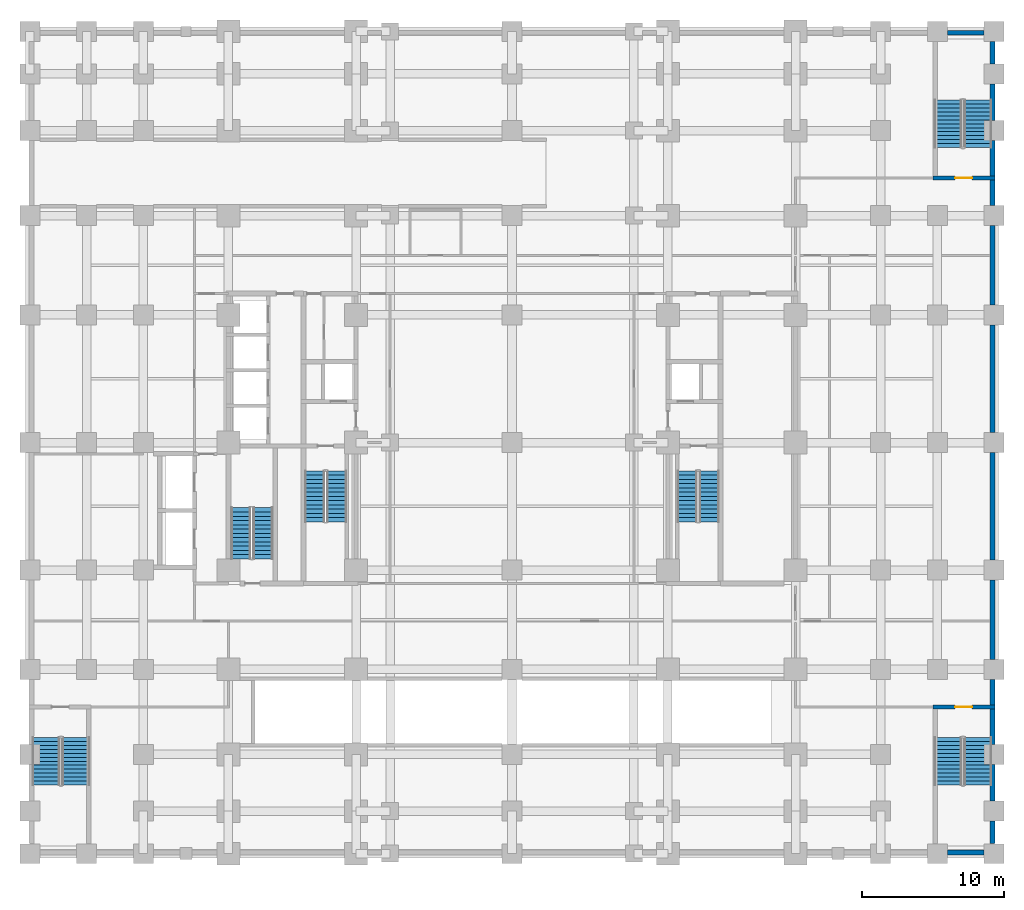
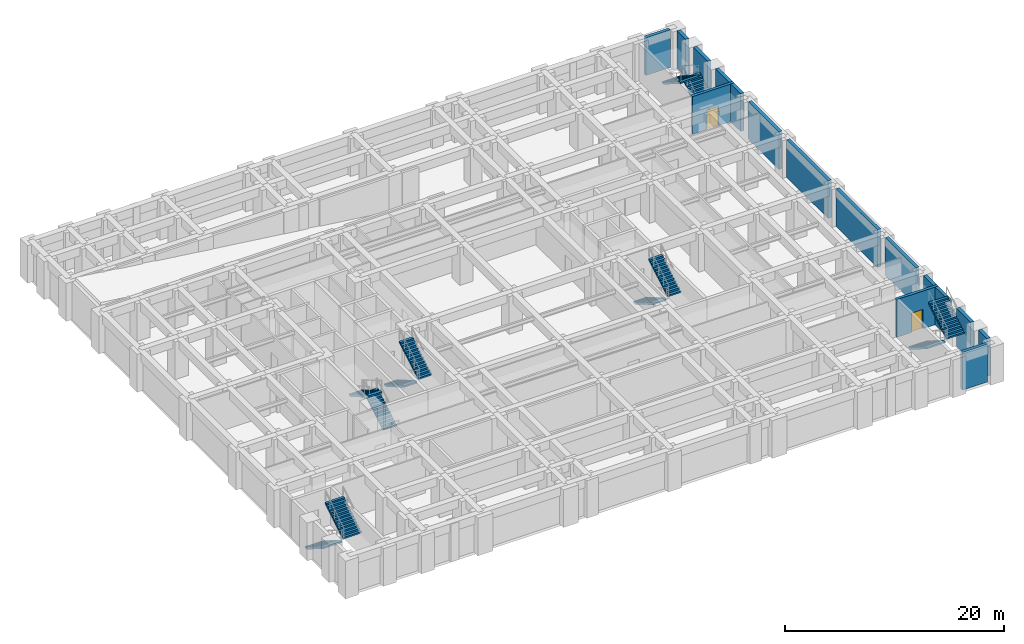
# One storey, part 8 of 14: 16 walls, 12 stair flights, 2 doors, 2 openings, 6 elements without a shape of their own.
"""IFC4 building model written with IfcOpenShell, lengths in metres."""

from ifc_helpers import new_model, si_unit, direction, frame, frame_2d, origin, place, context, subcontext, project, spatial, polyline, rectangle, outline, extrude, material, layer, layer_set, type_object, element, fill, aggregate, save


model = new_model("IFC4")

# Units and contexts
model_context = context("Model", 3, precision=1e-05, world=origin(), true_north=direction((0.0, 1.0)))
body_context = subcontext(model_context, "Body", "Model", "MODEL_VIEW")
ifc_project = project(units=[si_unit("LENGTHUNIT", "METRE"), si_unit("AREAUNIT", "SQUARE_METRE"), si_unit("VOLUMEUNIT", "CUBIC_METRE"), si_unit("PLANEANGLEUNIT", "RADIAN"), si_unit("MASSUNIT", "GRAM", prefix="KILO")], contexts=[model_context])

# Site, building, storey
site_placement = place(None, origin())
site = spatial("IfcSite", under=ifc_project, at=site_placement, CompositionType="ELEMENT")
building_placement = place(site_placement, origin())
building = spatial("IfcBuilding", under=site, at=building_placement, Name="Zulmaris Gate Convention Tower", CompositionType="ELEMENT")
storey_placement = place(building_placement, frame((0.0, 0.0, -4.550048828125)))
storey = spatial("IfcBuildingStorey", under=building, at=storey_placement, Name="B1", CompositionType="ELEMENT", Elevation=-4.550048828125)

# Wall, opening, door
ifc_material_1 = material(Name="Concrete C50/60", Category="concrete")
ifc_layer_1 = layer(ifc_material_1, 0.300048828125, Name="Concrete C50/60")
ifc_layer_set_1 = layer_set([ifc_layer_1], Name="Concrete C50/60")
wall_type_1 = type_object("IfcWallType", Name="CORE-300", PredefinedType="SHEAR", material=ifc_layer_set_1)
wall_1_placement = place(storey_placement, frame((29.699951171875, -18.64990234375, 0.0), z_axis=(0.0, 0.0, 1.0), x_axis=(1.0, 0.0, 0.0)))
wall_1 = element("IfcWall", 1, at=wall_1_placement, inside=storey, type_object=wall_type_1, Name="WL-B1-004", PredefinedType="SHEAR", context=body_context, shape_type="SweptSolid", body=[
    extrude(rectangle(XDim=4.375, YDim=0.300048828125, at=frame_2d((2.1875, 0.0))), origin(), (0.0, 0.0, 1.0), 4.199951171875),
])
opening_1_placement = place(wall_1_placement, frame((1.550048828125, 0.0, 0.0)))
opening_1 = element("IfcOpeningElement", 2, at=opening_1_placement, cuts=wall_1, Name="Opening D-13", PredefinedType="OPENING", context=body_context, shape_type="SweptSolid", body=[
    extrude(rectangle(XDim=1.199951171875, YDim=2.14990234375, at=frame_2d((0.60009765625, 1.074951171875))), frame((0.0, 0.16015625, 0.0), z_axis=(0.0, -1.0, 0.0), x_axis=(1.0, 0.0, 0.0)), (0.0, 0.0, 1.0), 0.320068359375),
])
ifc_material_2 = material(Name="Fire-Rated Steel", Category="steel")
door_type = type_object("IfcDoorType", Name="DR-1200-FD", OperationType="NOTDEFINED", PredefinedType="DOOR", material=ifc_material_2)
door_1_placement = place(opening_1_placement, origin())
door_1 = element("IfcDoor", 3, at=door_1_placement, inside=storey, type_object=door_type, Name="B1 Exit Stair ST-6 Door 22", OperationType="SINGLE_SWING_RIGHT", OverallHeight=2.14990234375, OverallWidth=1.199951171875, PredefinedType="DOOR", context=body_context, shape_type="SweptSolid", body=[
    extrude(rectangle(XDim=1.199951171875, YDim=2.14990234375, at=frame_2d((0.60009765625, 1.074951171875))), frame((0.0, 0.02490234375, 0.0), z_axis=(0.0, -1.0, 0.0), x_axis=(1.0, 0.0, 0.0)), (0.0, 0.0, 1.0), 0.050048828125),
])
fill(opening_1, door_1)

wall_2_placement = place(storey_placement, frame((29.699951171875, 18.64990234375, 0.0), z_axis=(0.0, 0.0, 1.0), x_axis=(1.0, 0.0, 0.0)))
wall_2 = element("IfcWall", 4, at=wall_2_placement, inside=storey, type_object=wall_type_1, Name="WL-B1-027", PredefinedType="SHEAR", context=body_context, shape_type="SweptSolid", body=[
    extrude(rectangle(XDim=4.375, YDim=0.300048828125, at=frame_2d((2.1875, 0.0))), origin(), (0.0, 0.0, 1.0), 4.199951171875),
])
opening_2_placement = place(wall_2_placement, frame((1.550048828125, 0.0, 0.0)))
opening_2 = element("IfcOpeningElement", 5, at=opening_2_placement, cuts=wall_2, Name="Opening D-13", PredefinedType="OPENING", context=body_context, shape_type="SweptSolid", body=[
    extrude(rectangle(XDim=1.199951171875, YDim=2.14990234375, at=frame_2d((0.60009765625, 1.074951171875))), frame((0.0, 0.16015625, 0.0), z_axis=(0.0, -1.0, 0.0), x_axis=(1.0, 0.0, 0.0)), (0.0, 0.0, 1.0), 0.320068359375),
])
door_2_placement = place(opening_2_placement, origin())
door_2 = element("IfcDoor", 6, at=door_2_placement, inside=storey, type_object=door_type, Name="B1 Exit Stair ST-5 Door 21", OperationType="SINGLE_SWING_LEFT", OverallHeight=2.14990234375, OverallWidth=1.199951171875, PredefinedType="DOOR", context=body_context, shape_type="SweptSolid", body=[
    extrude(rectangle(XDim=1.199951171875, YDim=2.14990234375, at=frame_2d((0.60009765625, 1.074951171875))), frame((0.0, 0.02490234375, 0.0), z_axis=(0.0, -1.0, 0.0), x_axis=(1.0, 0.0, 0.0)), (0.0, 0.0, 1.0), 0.050048828125),
])
fill(opening_2, door_2)

# Walls
ifc_material_3 = material(Name="Concrete C55/67", Category="concrete")
ifc_layer_2 = layer(ifc_material_3, 0.35009765625, Name="Concrete C55/67")
ifc_layer_set_2 = layer_set([ifc_layer_2], Name="Concrete C55/67")
wall_type_2 = type_object("IfcWallType", Name="CORE-350", PredefinedType="SHEAR", material=ifc_layer_set_2)
for number, where, z_axis, x_axis, name in (
    (7, (30.7041015625, -28.89990234375, 0.0), (0.0, 0.0, 1.0), (1.0, 0.0, 0.0), "WL-B1-001S13"),
    (8, (30.7041015625, 28.89990234375, 0.0), (0.0, 0.0, 1.0), (1.0, 0.0, 0.0), "WL-B1-029S13"),
):
    element("IfcWall", number, at=place(storey_placement, frame(where, z_axis=z_axis, x_axis=x_axis)), inside=storey, type_object=wall_type_2, Name=name, PredefinedType="SHEAR", context=body_context, shape_type="SweptSolid", body=[
        extrude(rectangle(XDim=2.591796875, YDim=0.35009765625, at=frame_2d((1.2958984375, 0.0))), origin(), (0.0, 0.0, 1.0), 4.199951171875),
    ])
wall_3_placement = place(storey_placement, frame((33.89990234375, -28.2958984375, 0.0), z_axis=(0.0, 0.0, 1.0), x_axis=(0.0, 1.0, 0.0)))
element("IfcWall", 9, at=wall_3_placement, inside=storey, type_object=wall_type_2, Name="WL-B1-087", PredefinedType="SHEAR", context=body_context, shape_type="SweptSolid", body=[
    extrude(rectangle(XDim=1.591796875, YDim=0.35009765625, at=frame_2d((0.7958984375, 0.0))), origin(), (0.0, 0.0, 1.0), 4.199951171875),
])
wall_4_placement = place(storey_placement, frame((33.89990234375, -25.2958984375, 0.0), z_axis=(0.0, 0.0, 1.0), x_axis=(0.0, 1.0, 0.0)))
element("IfcWall", 10, at=wall_4_placement, inside=storey, type_object=wall_type_2, Name="WL-B1-087S1", PredefinedType="SHEAR", context=body_context, shape_type="SweptSolid", body=[
    extrude(rectangle(XDim=2.591796875, YDim=0.35009765625, at=frame_2d((1.2958984375, 0.0))), origin(), (0.0, 0.0, 1.0), 4.199951171875),
])
wall_5_placement = place(storey_placement, frame((33.89990234375, -21.2958984375, 0.0), z_axis=(0.0, 0.0, 1.0), x_axis=(0.0, 1.0, 0.0)))
element("IfcWall", 11, at=wall_5_placement, inside=storey, type_object=wall_type_2, Name="WL-B1-087S2", PredefinedType="SHEAR", context=body_context, shape_type="SweptSolid", body=[
    extrude(rectangle(XDim=2.493896484375, YDim=0.35009765625, at=frame_2d((1.2470703125, 0.0))), origin(), (0.0, 0.0, 1.0), 4.199951171875),
])
wall_6_placement = place(storey_placement, frame((33.89990234375, -18.498046875, 0.0), z_axis=(0.0, 0.0, 1.0), x_axis=(0.0, 1.0, 0.0)))
element("IfcWall", 12, at=wall_6_placement, inside=storey, type_object=wall_type_2, Name="WL-B1-088", PredefinedType="SHEAR", context=body_context, shape_type="SweptSolid", body=[
    extrude(rectangle(XDim=1.7939453125, YDim=0.35009765625, at=frame_2d((0.89697265625, 0.0))), origin(), (0.0, 0.0, 1.0), 4.199951171875),
])
wall_7_placement = place(storey_placement, frame((33.89990234375, -15.2958984375, 0.0), z_axis=(0.0, 0.0, 1.0), x_axis=(0.0, 1.0, 0.0)))
element("IfcWall", 13, at=wall_7_placement, inside=storey, type_object=wall_type_2, Name="WL-B1-088S1", PredefinedType="SHEAR", context=body_context, shape_type="SweptSolid", body=[
    extrude(rectangle(XDim=5.591796875, YDim=0.35009765625, at=frame_2d((2.7958984375, 0.0))), origin(), (0.0, 0.0, 1.0), 4.199951171875),
])
for number, where, z_axis, x_axis, name in (
    (14, (33.89990234375, -8.2958984375, 0.0), (0.0, 0.0, 1.0), (0.0, 1.0, 0.0), "WL-B1-088S2"),
    (15, (33.89990234375, 0.7041015625, 0.0), (0.0, 0.0, 1.0), (0.0, 1.0, 0.0), "WL-B1-088S3"),
):
    element("IfcWall", number, at=place(storey_placement, frame(where, z_axis=z_axis, x_axis=x_axis)), inside=storey, type_object=wall_type_2, Name=name, PredefinedType="SHEAR", context=body_context, shape_type="SweptSolid", body=[
        extrude(rectangle(XDim=7.591796875, YDim=0.35009765625, at=frame_2d((3.7958984375, 0.0))), origin(), (0.0, 0.0, 1.0), 4.199951171875),
    ])
wall_8_placement = place(storey_placement, frame((33.89990234375, 9.7041015625, 0.0), z_axis=(0.0, 0.0, 1.0), x_axis=(0.0, 1.0, 0.0)))
element("IfcWall", 16, at=wall_8_placement, inside=storey, type_object=wall_type_2, Name="WL-B1-088S4", PredefinedType="SHEAR", context=body_context, shape_type="SweptSolid", body=[
    extrude(rectangle(XDim=5.591796875, YDim=0.35009765625, at=frame_2d((2.7958984375, 0.0))), origin(), (0.0, 0.0, 1.0), 4.199951171875),
])
wall_9_placement = place(storey_placement, frame((33.89990234375, 16.7041015625, 0.0), z_axis=(0.0, 0.0, 1.0), x_axis=(0.0, 1.0, 0.0)))
element("IfcWall", 17, at=wall_9_placement, inside=storey, type_object=wall_type_2, Name="WL-B1-088S5", PredefinedType="SHEAR", context=body_context, shape_type="SweptSolid", body=[
    extrude(rectangle(XDim=1.7939453125, YDim=0.35009765625, at=frame_2d((0.89697265625, 0.0))), origin(), (0.0, 0.0, 1.0), 4.199951171875),
])
wall_10_placement = place(storey_placement, frame((33.89990234375, 18.802001953125, 0.0), z_axis=(0.0, 0.0, 1.0), x_axis=(0.0, 1.0, 0.0)))
element("IfcWall", 18, at=wall_10_placement, inside=storey, type_object=wall_type_2, Name="WL-B1-089", PredefinedType="SHEAR", context=body_context, shape_type="SweptSolid", body=[
    extrude(rectangle(XDim=2.493896484375, YDim=0.35009765625, at=frame_2d((1.2470703125, 0.0))), origin(), (0.0, 0.0, 1.0), 4.199951171875),
])
wall_11_placement = place(storey_placement, frame((33.89990234375, 22.7041015625, 0.0), z_axis=(0.0, 0.0, 1.0), x_axis=(0.0, 1.0, 0.0)))
element("IfcWall", 19, at=wall_11_placement, inside=storey, type_object=wall_type_2, Name="WL-B1-089S1", PredefinedType="SHEAR", context=body_context, shape_type="SweptSolid", body=[
    extrude(rectangle(XDim=2.591796875, YDim=0.35009765625, at=frame_2d((1.2958984375, 0.0))), origin(), (0.0, 0.0, 1.0), 4.199951171875),
])
wall_12_placement = place(storey_placement, frame((33.89990234375, 26.7041015625, 0.0), z_axis=(0.0, 0.0, 1.0), x_axis=(0.0, 1.0, 0.0)))
element("IfcWall", 20, at=wall_12_placement, inside=storey, type_object=wall_type_2, Name="WL-B1-089S2", PredefinedType="SHEAR", context=body_context, shape_type="SweptSolid", body=[
    extrude(rectangle(XDim=1.591796875, YDim=0.35009765625, at=frame_2d((0.7958984375, 0.0))), origin(), (0.0, 0.0, 1.0), 4.199951171875),
])

# Stair, stair flights
ifc_material_4 = material(Name="Concrete C45/55", Category="concrete")
stair_type_1 = type_object("IfcStairType", Name="ST-CORE-DOGLEG", PredefinedType="HALF_TURN_STAIR", material=ifc_material_4)
stair_1_placement = place(storey_placement, origin())
stair_1 = element("IfcStair", 21, at=stair_1_placement, inside=storey, type_object=stair_type_1, Name="B1 Core Exit Stair ST-1", PredefinedType="HALF_TURN_STAIR")
ifc_layer_3 = layer(ifc_material_4, 0.14990234375, Name="Concrete C45/55")
ifc_layer_set_3 = layer_set([ifc_layer_3], Name="Concrete C45/55")
stair_flight_type_1 = type_object("IfcStairFlightType", Name="STF-RC150", PredefinedType="STRAIGHT", material=ifc_layer_set_3)
stair_flight_1_placement = place(storey_placement, frame((-13.919921875, -2.0, 0.0), z_axis=(0.0, 0.0, 1.0), x_axis=(0.0, -1.0, 0.0)))
stair_flight_1 = element("IfcStairFlight", 22, at=stair_flight_1_placement, type_object=stair_flight_type_1, Name="ST-1 flight 1", NumberOfRisers=13, NumberOfTreads=12, PredefinedType="STRAIGHT", RiserHeight=0.175, TreadLength=0.3, context=body_context, shape_type="SweptSolid", body=[
    extrude(outline(polyline([(0.0, 0.0), (0.0, 0.175048828125), (0.300048828125, 0.175048828125), (0.300048828125, 0.35009765625), (0.60009765625, 0.35009765625), (0.60009765625, 0.52490234375), (0.89990234375, 0.52490234375), (0.89990234375, 0.699951171875), (1.199951171875, 0.699951171875), (1.199951171875, 0.875), (1.5, 0.875), (1.5, 1.050048828125), (1.800048828125, 1.050048828125), (1.800048828125, 1.22509765625), (2.10009765625, 1.22509765625), (2.10009765625, 1.39990234375), (2.39990234375, 1.39990234375), (2.39990234375, 1.574951171875), (2.699951171875, 1.574951171875), (2.699951171875, 1.75), (3.0, 1.75), (3.0, 1.925048828125), (3.300048828125, 1.925048828125), (3.300048828125, 2.10009765625), (3.60009765625, 2.10009765625), (3.60009765625, 2.27490234375), (3.60009765625, 1.926513671875), (0.297607421875, 0.0), (0.0, 0.0)])), frame((0.0, 0.699951171875, 0.0), z_axis=(0.0, -1.0, 0.0), x_axis=(1.0, 0.0, 0.0)), (0.0, 0.0, 1.0), 1.39990234375),
])
stair_flight_2_placement = place(storey_placement, frame((-12.360107421875, -5.60009765625, 2.275146484375), z_axis=(0.0, 0.0, 1.0), x_axis=(0.0, 1.0, 0.0)))
stair_flight_2 = element("IfcStairFlight", 23, at=stair_flight_2_placement, type_object=stair_flight_type_1, Name="ST-1 flight 2", NumberOfRisers=13, NumberOfTreads=12, PredefinedType="STRAIGHT", RiserHeight=0.175, TreadLength=0.3, context=body_context, shape_type="SweptSolid", body=[
    extrude(outline(polyline([(0.0, 0.0), (0.0, 0.175048828125), (0.300048828125, 0.175048828125), (0.300048828125, 0.35009765625), (0.60009765625, 0.35009765625), (0.60009765625, 0.52490234375), (0.89990234375, 0.52490234375), (0.89990234375, 0.699951171875), (1.199951171875, 0.699951171875), (1.199951171875, 0.875), (1.5, 0.875), (1.5, 1.050048828125), (1.800048828125, 1.050048828125), (1.800048828125, 1.22509765625), (2.10009765625, 1.22509765625), (2.10009765625, 1.39990234375), (2.39990234375, 1.39990234375), (2.39990234375, 1.574951171875), (2.699951171875, 1.574951171875), (2.699951171875, 1.75), (3.0, 1.75), (3.0, 1.925048828125), (3.300048828125, 1.925048828125), (3.300048828125, 2.10009765625), (3.60009765625, 2.10009765625), (3.60009765625, 2.27490234375), (3.60009765625, 1.926513671875), (0.297607421875, 0.0), (0.0, 0.0)])), frame((0.0, 0.699951171875, 0.0), z_axis=(0.0, -1.0, 0.0), x_axis=(1.0, 0.0, 0.0)), (0.0, 0.0, 1.0), 1.39990234375),
])
aggregate(stair_1, [stair_flight_1, stair_flight_2])

stair_2_placement = place(storey_placement, origin())
stair_2 = element("IfcStair", 24, at=stair_2_placement, inside=storey, type_object=stair_type_1, Name="B1 Core Exit Stair ST-2", PredefinedType="HALF_TURN_STAIR")
stair_flight_3_placement = place(storey_placement, frame((12.360107421875, -2.0, 0.0), z_axis=(0.0, 0.0, 1.0), x_axis=(0.0, -1.0, 0.0)))
stair_flight_3 = element("IfcStairFlight", 25, at=stair_flight_3_placement, type_object=stair_flight_type_1, Name="ST-2 flight 1", NumberOfRisers=13, NumberOfTreads=12, PredefinedType="STRAIGHT", RiserHeight=0.175, TreadLength=0.3, context=body_context, shape_type="SweptSolid", body=[
    extrude(outline(polyline([(0.0, 0.0), (0.0, 0.175048828125), (0.300048828125, 0.175048828125), (0.300048828125, 0.35009765625), (0.60009765625, 0.35009765625), (0.60009765625, 0.52490234375), (0.89990234375, 0.52490234375), (0.89990234375, 0.699951171875), (1.199951171875, 0.699951171875), (1.199951171875, 0.875), (1.5, 0.875), (1.5, 1.050048828125), (1.800048828125, 1.050048828125), (1.800048828125, 1.22509765625), (2.10009765625, 1.22509765625), (2.10009765625, 1.39990234375), (2.39990234375, 1.39990234375), (2.39990234375, 1.574951171875), (2.699951171875, 1.574951171875), (2.699951171875, 1.75), (3.0, 1.75), (3.0, 1.925048828125), (3.300048828125, 1.925048828125), (3.300048828125, 2.10009765625), (3.60009765625, 2.10009765625), (3.60009765625, 2.27490234375), (3.60009765625, 1.926513671875), (0.297607421875, 0.0), (0.0, 0.0)])), frame((0.0, 0.699951171875, 0.0), z_axis=(0.0, -1.0, 0.0), x_axis=(1.0, 0.0, 0.0)), (0.0, 0.0, 1.0), 1.39990234375),
])
stair_flight_4_placement = place(storey_placement, frame((13.919921875, -5.60009765625, 2.275146484375), z_axis=(0.0, 0.0, 1.0), x_axis=(0.0, 1.0, 0.0)))
stair_flight_4 = element("IfcStairFlight", 26, at=stair_flight_4_placement, type_object=stair_flight_type_1, Name="ST-2 flight 2", NumberOfRisers=13, NumberOfTreads=12, PredefinedType="STRAIGHT", RiserHeight=0.175, TreadLength=0.3, context=body_context, shape_type="SweptSolid", body=[
    extrude(outline(polyline([(0.0, 0.0), (0.0, 0.175048828125), (0.300048828125, 0.175048828125), (0.300048828125, 0.35009765625), (0.60009765625, 0.35009765625), (0.60009765625, 0.52490234375), (0.89990234375, 0.52490234375), (0.89990234375, 0.699951171875), (1.199951171875, 0.699951171875), (1.199951171875, 0.875), (1.5, 0.875), (1.5, 1.050048828125), (1.800048828125, 1.050048828125), (1.800048828125, 1.22509765625), (2.10009765625, 1.22509765625), (2.10009765625, 1.39990234375), (2.39990234375, 1.39990234375), (2.39990234375, 1.574951171875), (2.699951171875, 1.574951171875), (2.699951171875, 1.75), (3.0, 1.75), (3.0, 1.925048828125), (3.300048828125, 1.925048828125), (3.300048828125, 2.10009765625), (3.60009765625, 2.10009765625), (3.60009765625, 2.27490234375), (3.60009765625, 1.926513671875), (0.297607421875, 0.0), (0.0, 0.0)])), frame((0.0, 0.699951171875, 0.0), z_axis=(0.0, -1.0, 0.0), x_axis=(1.0, 0.0, 0.0)), (0.0, 0.0, 1.0), 1.39990234375),
])
aggregate(stair_2, [stair_flight_3, stair_flight_4])

stair_3_placement = place(storey_placement, origin())
stair_3 = element("IfcStair", 27, at=stair_3_placement, inside=storey, type_object=stair_type_1, Name="B1 Core Exit Stair ST-3", PredefinedType="HALF_TURN_STAIR")
stair_flight_5_placement = place(storey_placement, frame((-17.56005859375, -8.199951171875, 0.0), z_axis=(0.0, 0.0, 1.0), x_axis=(0.0, 1.0, 0.0)))
stair_flight_5 = element("IfcStairFlight", 28, at=stair_flight_5_placement, type_object=stair_flight_type_1, Name="ST-3 flight 1", NumberOfRisers=13, NumberOfTreads=12, PredefinedType="STRAIGHT", RiserHeight=0.175, TreadLength=0.3, context=body_context, shape_type="SweptSolid", body=[
    extrude(outline(polyline([(0.0, 0.0), (0.0, 0.175048828125), (0.300048828125, 0.175048828125), (0.300048828125, 0.35009765625), (0.60009765625, 0.35009765625), (0.60009765625, 0.52490234375), (0.89990234375, 0.52490234375), (0.89990234375, 0.699951171875), (1.199951171875, 0.699951171875), (1.199951171875, 0.875), (1.5, 0.875), (1.5, 1.050048828125), (1.800048828125, 1.050048828125), (1.800048828125, 1.22509765625), (2.10009765625, 1.22509765625), (2.10009765625, 1.39990234375), (2.39990234375, 1.39990234375), (2.39990234375, 1.574951171875), (2.699951171875, 1.574951171875), (2.699951171875, 1.75), (3.0, 1.75), (3.0, 1.925048828125), (3.300048828125, 1.925048828125), (3.300048828125, 2.10009765625), (3.60009765625, 2.10009765625), (3.60009765625, 2.27490234375), (3.60009765625, 1.926513671875), (0.297607421875, 0.0), (0.0, 0.0)])), frame((0.0, 0.699951171875, 0.0), z_axis=(0.0, -1.0, 0.0), x_axis=(1.0, 0.0, 0.0)), (0.0, 0.0, 1.0), 1.39990234375),
])
stair_flight_6_placement = place(storey_placement, frame((-19.1201171875, -4.60009765625, 2.275146484375), z_axis=(0.0, 0.0, 1.0), x_axis=(0.0, -1.0, 0.0)))
stair_flight_6 = element("IfcStairFlight", 29, at=stair_flight_6_placement, type_object=stair_flight_type_1, Name="ST-3 flight 2", NumberOfRisers=13, NumberOfTreads=12, PredefinedType="STRAIGHT", RiserHeight=0.175, TreadLength=0.3, context=body_context, shape_type="SweptSolid", body=[
    extrude(outline(polyline([(0.0, 0.0), (0.0, 0.175048828125), (0.300048828125, 0.175048828125), (0.300048828125, 0.35009765625), (0.60009765625, 0.35009765625), (0.60009765625, 0.52490234375), (0.89990234375, 0.52490234375), (0.89990234375, 0.699951171875), (1.199951171875, 0.699951171875), (1.199951171875, 0.875), (1.5, 0.875), (1.5, 1.050048828125), (1.800048828125, 1.050048828125), (1.800048828125, 1.22509765625), (2.10009765625, 1.22509765625), (2.10009765625, 1.39990234375), (2.39990234375, 1.39990234375), (2.39990234375, 1.574951171875), (2.699951171875, 1.574951171875), (2.699951171875, 1.75), (3.0, 1.75), (3.0, 1.925048828125), (3.300048828125, 1.925048828125), (3.300048828125, 2.10009765625), (3.60009765625, 2.10009765625), (3.60009765625, 2.27490234375), (3.60009765625, 1.926513671875), (0.297607421875, 0.0), (0.0, 0.0)])), frame((0.0, 0.699951171875, 0.0), z_axis=(0.0, -1.0, 0.0), x_axis=(1.0, 0.0, 0.0)), (0.0, 0.0, 1.0), 1.39990234375),
])
aggregate(stair_3, [stair_flight_5, stair_flight_6])

stair_type_2 = type_object("IfcStairType", Name="ST-POD-DOGLEG", PredefinedType="HALF_TURN_STAIR", material=ifc_material_4)
stair_4_placement = place(storey_placement, origin())
stair_4 = element("IfcStair", 30, at=stair_4_placement, inside=storey, type_object=stair_type_2, Name="B1 Podium Exit Stair ST-4", PredefinedType="HALF_TURN_STAIR")
ifc_layer_4 = layer(ifc_material_4, 0.159912109375, Name="Concrete C45/55")
ifc_layer_set_4 = layer_set([ifc_layer_4], Name="Concrete C45/55")
stair_flight_type_2 = type_object("IfcStairFlightType", Name="STF-RC195", PredefinedType="STRAIGHT", material=ifc_layer_set_4)
stair_flight_7_placement = place(storey_placement, frame((-32.85498046875, -20.800048828125, 0.0), z_axis=(0.0, 0.0, 1.0), x_axis=(0.0, -1.0, 0.0)))
stair_flight_7 = element("IfcStairFlight", 31, at=stair_flight_7_placement, type_object=stair_flight_type_2, Name="ST-4 flight 1", NumberOfRisers=13, NumberOfTreads=12, PredefinedType="STRAIGHT", RiserHeight=0.175, TreadLength=0.28, context=body_context, shape_type="SweptSolid", body=[
    extrude(outline(polyline([(0.0, 0.0), (0.0, 0.175048828125), (0.280029296875, 0.175048828125), (0.280029296875, 0.35009765625), (0.56005859375, 0.35009765625), (0.56005859375, 0.52490234375), (0.840087890625, 0.52490234375), (0.840087890625, 0.699951171875), (1.1201171875, 0.699951171875), (1.1201171875, 0.875), (1.39990234375, 0.875), (1.39990234375, 1.050048828125), (1.679931640625, 1.050048828125), (1.679931640625, 1.22509765625), (1.9599609375, 1.22509765625), (1.9599609375, 1.39990234375), (2.239990234375, 1.39990234375), (2.239990234375, 1.574951171875), (2.52001953125, 1.574951171875), (2.52001953125, 1.75), (2.800048828125, 1.75), (2.800048828125, 1.925048828125), (3.080078125, 1.925048828125), (3.080078125, 2.10009765625), (3.360107421875, 2.10009765625), (3.360107421875, 2.27490234375), (3.360107421875, 1.92333984375), (0.28271484375, 0.0), (0.0, 0.0)])), frame((0.0, 0.97509765625, 0.0), z_axis=(0.0, -1.0, 0.0), x_axis=(1.0, 0.0, 0.0)), (0.0, 0.0, 1.0), 1.949951171875),
])
stair_flight_8_placement = place(storey_placement, frame((-30.7548828125, -24.159912109375, 2.275146484375), z_axis=(0.0, 0.0, 1.0), x_axis=(0.0, 1.0, 0.0)))
stair_flight_8 = element("IfcStairFlight", 32, at=stair_flight_8_placement, type_object=stair_flight_type_2, Name="ST-4 flight 2", NumberOfRisers=13, NumberOfTreads=12, PredefinedType="STRAIGHT", RiserHeight=0.175, TreadLength=0.28, context=body_context, shape_type="SweptSolid", body=[
    extrude(outline(polyline([(0.0, 0.0), (0.0, 0.175048828125), (0.280029296875, 0.175048828125), (0.280029296875, 0.35009765625), (0.56005859375, 0.35009765625), (0.56005859375, 0.52490234375), (0.840087890625, 0.52490234375), (0.840087890625, 0.699951171875), (1.1201171875, 0.699951171875), (1.1201171875, 0.875), (1.39990234375, 0.875), (1.39990234375, 1.050048828125), (1.679931640625, 1.050048828125), (1.679931640625, 1.22509765625), (1.9599609375, 1.22509765625), (1.9599609375, 1.39990234375), (2.239990234375, 1.39990234375), (2.239990234375, 1.574951171875), (2.52001953125, 1.574951171875), (2.52001953125, 1.75), (2.800048828125, 1.75), (2.800048828125, 1.925048828125), (3.080078125, 1.925048828125), (3.080078125, 2.10009765625), (3.360107421875, 2.10009765625), (3.360107421875, 2.27490234375), (3.360107421875, 1.92333984375), (0.28271484375, 0.0), (0.0, 0.0)])), frame((0.0, 0.97509765625, 0.0), z_axis=(0.0, -1.0, 0.0), x_axis=(1.0, 0.0, 0.0)), (0.0, 0.0, 1.0), 1.949951171875),
])
aggregate(stair_4, [stair_flight_7, stair_flight_8])

stair_5_placement = place(storey_placement, origin())
stair_5 = element("IfcStair", 33, at=stair_5_placement, inside=storey, type_object=stair_type_2, Name="B1 Podium Exit Stair ST-5", PredefinedType="HALF_TURN_STAIR")
stair_flight_9_placement = place(storey_placement, frame((32.85498046875, 20.800048828125, 0.0), z_axis=(0.0, 0.0, 1.0), x_axis=(0.0, 1.0, 0.0)))
stair_flight_9 = element("IfcStairFlight", 34, at=stair_flight_9_placement, type_object=stair_flight_type_2, Name="ST-5 flight 1", NumberOfRisers=13, NumberOfTreads=12, PredefinedType="STRAIGHT", RiserHeight=0.175, TreadLength=0.28, context=body_context, shape_type="SweptSolid", body=[
    extrude(outline(polyline([(0.0, 0.0), (0.0, 0.175048828125), (0.280029296875, 0.175048828125), (0.280029296875, 0.35009765625), (0.56005859375, 0.35009765625), (0.56005859375, 0.52490234375), (0.840087890625, 0.52490234375), (0.840087890625, 0.699951171875), (1.1201171875, 0.699951171875), (1.1201171875, 0.875), (1.39990234375, 0.875), (1.39990234375, 1.050048828125), (1.679931640625, 1.050048828125), (1.679931640625, 1.22509765625), (1.9599609375, 1.22509765625), (1.9599609375, 1.39990234375), (2.239990234375, 1.39990234375), (2.239990234375, 1.574951171875), (2.52001953125, 1.574951171875), (2.52001953125, 1.75), (2.800048828125, 1.75), (2.800048828125, 1.925048828125), (3.080078125, 1.925048828125), (3.080078125, 2.10009765625), (3.360107421875, 2.10009765625), (3.360107421875, 2.27490234375), (3.360107421875, 1.92333984375), (0.28271484375, 0.0), (0.0, 0.0)])), frame((0.0, 0.97509765625, 0.0), z_axis=(0.0, -1.0, 0.0), x_axis=(1.0, 0.0, 0.0)), (0.0, 0.0, 1.0), 1.949951171875),
])
stair_flight_10_placement = place(storey_placement, frame((30.7548828125, 24.159912109375, 2.275146484375), z_axis=(0.0, 0.0, 1.0), x_axis=(0.0, -1.0, 0.0)))
stair_flight_10 = element("IfcStairFlight", 35, at=stair_flight_10_placement, type_object=stair_flight_type_2, Name="ST-5 flight 2", NumberOfRisers=13, NumberOfTreads=12, PredefinedType="STRAIGHT", RiserHeight=0.175, TreadLength=0.28, context=body_context, shape_type="SweptSolid", body=[
    extrude(outline(polyline([(0.0, 0.0), (0.0, 0.175048828125), (0.280029296875, 0.175048828125), (0.280029296875, 0.35009765625), (0.56005859375, 0.35009765625), (0.56005859375, 0.52490234375), (0.840087890625, 0.52490234375), (0.840087890625, 0.699951171875), (1.1201171875, 0.699951171875), (1.1201171875, 0.875), (1.39990234375, 0.875), (1.39990234375, 1.050048828125), (1.679931640625, 1.050048828125), (1.679931640625, 1.22509765625), (1.9599609375, 1.22509765625), (1.9599609375, 1.39990234375), (2.239990234375, 1.39990234375), (2.239990234375, 1.574951171875), (2.52001953125, 1.574951171875), (2.52001953125, 1.75), (2.800048828125, 1.75), (2.800048828125, 1.925048828125), (3.080078125, 1.925048828125), (3.080078125, 2.10009765625), (3.360107421875, 2.10009765625), (3.360107421875, 2.27490234375), (3.360107421875, 1.92333984375), (0.28271484375, 0.0), (0.0, 0.0)])), frame((0.0, 0.97509765625, 0.0), z_axis=(0.0, -1.0, 0.0), x_axis=(1.0, 0.0, 0.0)), (0.0, 0.0, 1.0), 1.949951171875),
])
aggregate(stair_5, [stair_flight_9, stair_flight_10])

stair_6_placement = place(storey_placement, origin())
stair_6 = element("IfcStair", 36, at=stair_6_placement, inside=storey, type_object=stair_type_2, Name="B1 Podium Exit Stair ST-6", PredefinedType="HALF_TURN_STAIR")
stair_flight_11_placement = place(storey_placement, frame((30.7548828125, -20.800048828125, 0.0), z_axis=(0.0, 0.0, 1.0), x_axis=(0.0, -1.0, 0.0)))
stair_flight_11 = element("IfcStairFlight", 37, at=stair_flight_11_placement, type_object=stair_flight_type_2, Name="ST-6 flight 1", NumberOfRisers=13, NumberOfTreads=12, PredefinedType="STRAIGHT", RiserHeight=0.175, TreadLength=0.28, context=body_context, shape_type="SweptSolid", body=[
    extrude(outline(polyline([(0.0, 0.0), (0.0, 0.175048828125), (0.280029296875, 0.175048828125), (0.280029296875, 0.35009765625), (0.56005859375, 0.35009765625), (0.56005859375, 0.52490234375), (0.840087890625, 0.52490234375), (0.840087890625, 0.699951171875), (1.1201171875, 0.699951171875), (1.1201171875, 0.875), (1.39990234375, 0.875), (1.39990234375, 1.050048828125), (1.679931640625, 1.050048828125), (1.679931640625, 1.22509765625), (1.9599609375, 1.22509765625), (1.9599609375, 1.39990234375), (2.239990234375, 1.39990234375), (2.239990234375, 1.574951171875), (2.52001953125, 1.574951171875), (2.52001953125, 1.75), (2.800048828125, 1.75), (2.800048828125, 1.925048828125), (3.080078125, 1.925048828125), (3.080078125, 2.10009765625), (3.360107421875, 2.10009765625), (3.360107421875, 2.27490234375), (3.360107421875, 1.92333984375), (0.28271484375, 0.0), (0.0, 0.0)])), frame((0.0, 0.97509765625, 0.0), z_axis=(0.0, -1.0, 0.0), x_axis=(1.0, 0.0, 0.0)), (0.0, 0.0, 1.0), 1.949951171875),
])
stair_flight_12_placement = place(storey_placement, frame((32.85498046875, -24.159912109375, 2.275146484375), z_axis=(0.0, 0.0, 1.0), x_axis=(0.0, 1.0, 0.0)))
stair_flight_12 = element("IfcStairFlight", 38, at=stair_flight_12_placement, type_object=stair_flight_type_2, Name="ST-6 flight 2", NumberOfRisers=13, NumberOfTreads=12, PredefinedType="STRAIGHT", RiserHeight=0.175, TreadLength=0.28, context=body_context, shape_type="SweptSolid", body=[
    extrude(outline(polyline([(0.0, 0.0), (0.0, 0.175048828125), (0.280029296875, 0.175048828125), (0.280029296875, 0.35009765625), (0.56005859375, 0.35009765625), (0.56005859375, 0.52490234375), (0.840087890625, 0.52490234375), (0.840087890625, 0.699951171875), (1.1201171875, 0.699951171875), (1.1201171875, 0.875), (1.39990234375, 0.875), (1.39990234375, 1.050048828125), (1.679931640625, 1.050048828125), (1.679931640625, 1.22509765625), (1.9599609375, 1.22509765625), (1.9599609375, 1.39990234375), (2.239990234375, 1.39990234375), (2.239990234375, 1.574951171875), (2.52001953125, 1.574951171875), (2.52001953125, 1.75), (2.800048828125, 1.75), (2.800048828125, 1.925048828125), (3.080078125, 1.925048828125), (3.080078125, 2.10009765625), (3.360107421875, 2.10009765625), (3.360107421875, 2.27490234375), (3.360107421875, 1.92333984375), (0.28271484375, 0.0), (0.0, 0.0)])), frame((0.0, 0.97509765625, 0.0), z_axis=(0.0, -1.0, 0.0), x_axis=(1.0, 0.0, 0.0)), (0.0, 0.0, 1.0), 1.949951171875),
])
aggregate(stair_6, [stair_flight_11, stair_flight_12])

save(model, "model.ifc")
